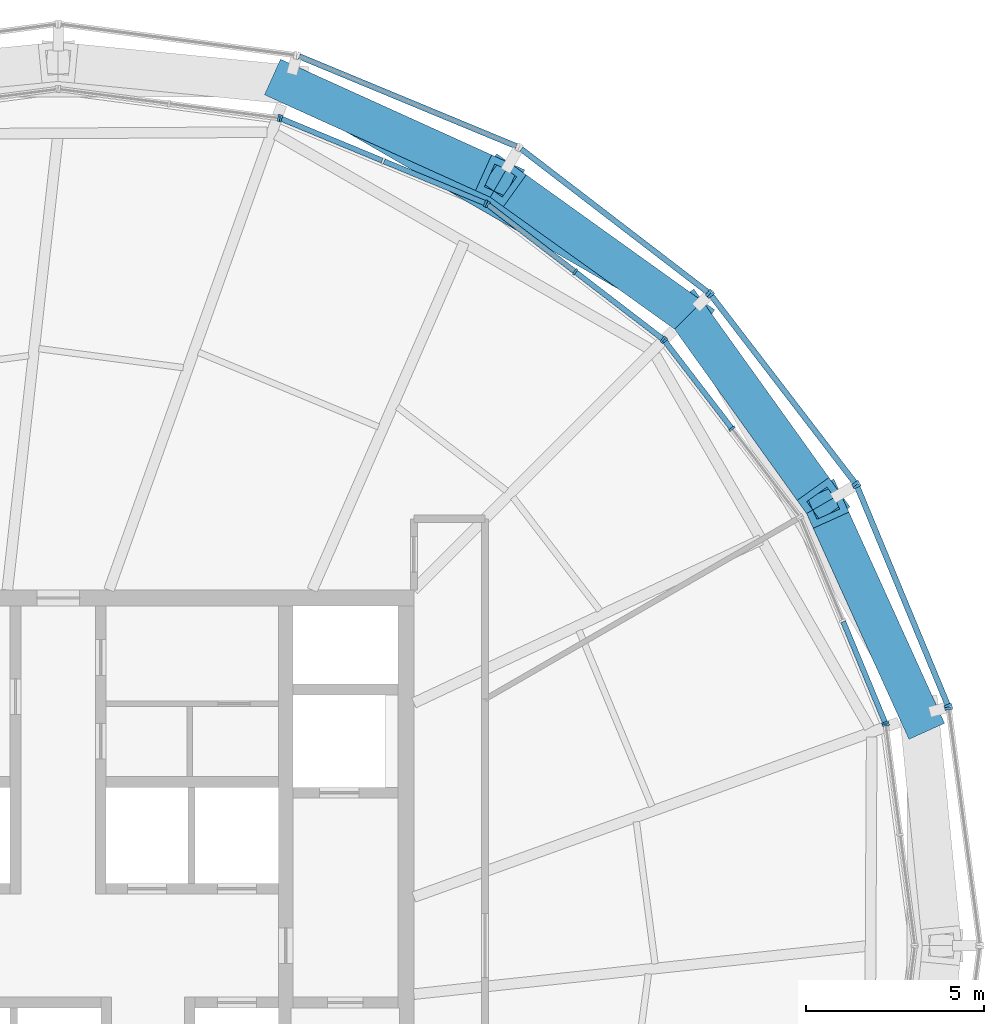
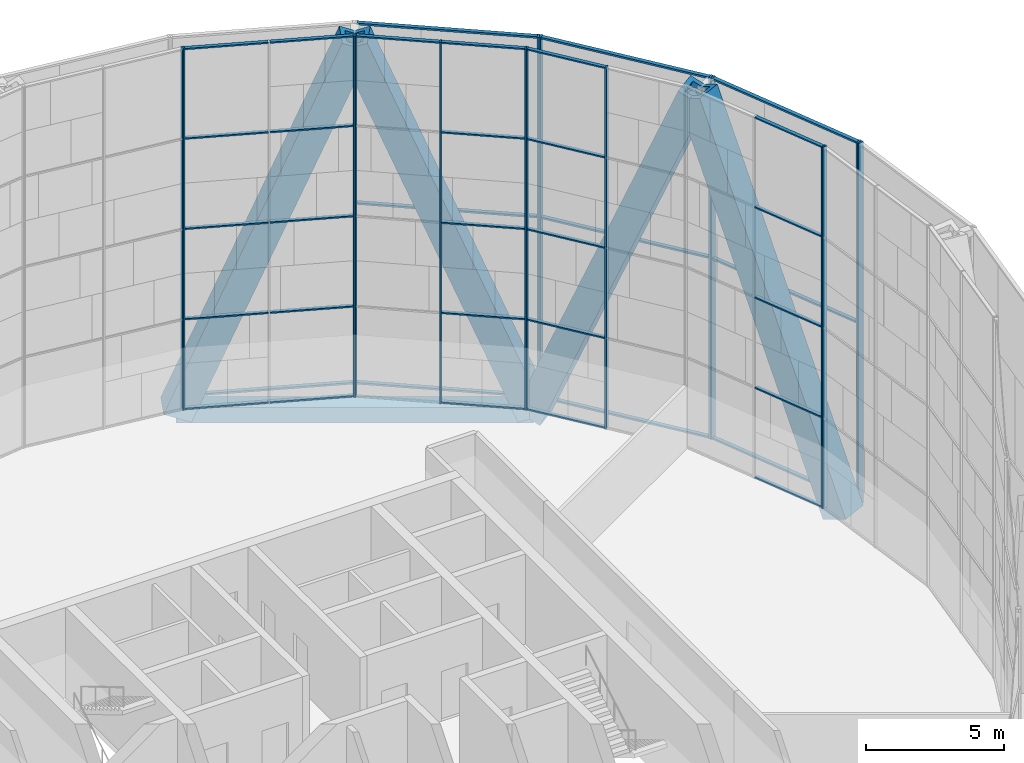
# One storey, part 11 of 30: 56 members, 1 beam, 11 elements without a shape of their own.
"""IFC4 building model written with IfcOpenShell, lengths in metres."""

from ifc_helpers import new_model, si_unit, direction, frame, origin, origin_2d, place, context, subcontext, project, spatial, rectangle, hollow_rectangle, extrude, material, material_profile, profile_set, type_object, element, aggregate, save


model = new_model("IFC4")

# Units and contexts
model_context = context("Model", 3, precision=1e-05, world=origin(), true_north=direction((0.0, 1.0)))
body_context = subcontext(model_context, "Body", "Model", "MODEL_VIEW")
ifc_project = project(units=[si_unit("LENGTHUNIT", "METRE"), si_unit("AREAUNIT", "SQUARE_METRE"), si_unit("VOLUMEUNIT", "CUBIC_METRE"), si_unit("PLANEANGLEUNIT", "RADIAN"), si_unit("MASSUNIT", "GRAM", prefix="KILO")], contexts=[model_context])

# Site, building, storey
site_placement = place(None, origin())
site = spatial("IfcSite", under=ifc_project, at=site_placement, CompositionType="ELEMENT")
building_placement = place(site_placement, origin())
building = spatial("IfcBuilding", under=site, at=building_placement, Name="Golbaran Civic Tower", CompositionType="ELEMENT")
storey_placement = place(building_placement, frame((0.0, 0.0, 167.0)))
storey = spatial("IfcBuildingStorey", under=building, at=storey_placement, Name="L40", CompositionType="ELEMENT", Elevation=167.0)

# Members
ifc_material_1 = material(Name="Steel S355", Category="steel")
ifc_material_profile_1 = material_profile(ifc_material_1, hollow_rectangle(XDim=1.10009765625, YDim=1.10009765625, WallThickness=0.199951171875, at=origin_2d()), Name="BOX 1100x1100x200")
ifc_profile_set_1 = profile_set([ifc_material_profile_1], Name="Steel S355")
member_type_1 = type_object("IfcMemberType", Name="DIAGRID DIAGONAL BOX 1100x1100x200", PredefinedType="BRACE", material=ifc_profile_set_1)
member_1_placement = place(storey_placement, frame((24.208984375, 6.48681640625, -0.7099609375), z_axis=(-0.155753672162, 0.343627476497, 0.926099860169), x_axis=(-0.910805936997, -0.412834767347, 0.0)))
element("IfcMember", 1, at=member_1_placement, inside=storey, type_object=member_type_1, Name="Diagonal D09-00R L40-L44", PredefinedType="BRACE", context=body_context, shape_type="SweptSolid", body=[
    extrude(hollow_rectangle(XDim=1.10009765625, YDim=1.10009765625, WallThickness=0.199951171875, at=origin_2d()), origin(), (0.0, 0.0, 1.0), 17.27685546875),
])
for number, where, z_axis, x_axis, name in (
    (2, (17.72216796875, 17.72216796875, -0.7099609375), (-0.306689856884, 0.21971220084, 0.926103601379), (-0.582374990121, -0.812920273386, 0.0), "Diagonal D09-01R L40-L44"),
    (3, (17.72216796875, 17.72216796875, -0.7099609375), (0.21971220084, -0.306689856884, 0.926103601379), (0.812920273386, 0.582374990121, 0.0), "Diagonal D09-01L L40-L44"),
):
    element("IfcMember", number, at=place(storey_placement, frame(where, z_axis=z_axis, x_axis=x_axis)), inside=storey, type_object=member_type_1, Name=name, PredefinedType="BRACE", context=body_context, shape_type="SweptSolid", body=[
        extrude(hollow_rectangle(XDim=1.10009765625, YDim=1.10009765625, WallThickness=0.199951171875, at=origin_2d()), origin(), (0.0, 0.0, 1.0), 17.276611328125),
    ])
member_2_placement = place(storey_placement, frame((6.48681640625, 24.208984375, -0.7099609375), z_axis=(0.343627476497, -0.155753672162, 0.926099860169), x_axis=(0.412834767347, 0.910805936997, 0.0)))
element("IfcMember", 4, at=member_2_placement, inside=storey, type_object=member_type_1, Name="Diagonal D09-02L L40-L44", PredefinedType="BRACE", context=body_context, shape_type="SweptSolid", body=[
    extrude(hollow_rectangle(XDim=1.10009765625, YDim=1.10009765625, WallThickness=0.199951171875, at=origin_2d()), origin(), (0.0, 0.0, 1.0), 17.27685546875),
])

# Beam
ifc_material_profile_2 = material_profile(ifc_material_1, hollow_rectangle(XDim=0.699951171875, YDim=0.699951171875, WallThickness=0.080078125, at=origin_2d()), Name="BOX 700x700x80")
ifc_profile_set_2 = profile_set([ifc_material_profile_2], Name="Steel S355")
beam_type = type_object("IfcBeamType", Name="DIAGRID RING TIE BOX 700x700x80", PredefinedType="BEAM", material=ifc_profile_set_2)
beam_placement = place(storey_placement, frame((17.72216796875, 17.72216796875, -0.7099609375), z_axis=(-0.866022628259, 0.50000480732, 0.0), x_axis=(-0.50000480732, -0.866022628259, 0.0)))
element("IfcBeam", 5, at=beam_placement, inside=storey, type_object=beam_type, Name="Ring tie 45.00 L40", PredefinedType="BEAM", context=body_context, shape_type="SweptSolid", body=[
    extrude(hollow_rectangle(XDim=0.699951171875, YDim=0.699951171875, WallThickness=0.080078125, at=origin_2d()), origin(), (0.0, 0.0, 1.0), 12.973388671875),
])

# Curtain wall, member
ifc_material_2 = material(Name="Aluminium and glass", Category="aluminium")
curtain_wall_type_1 = type_object("IfcCurtainWallType", Name="INNER SKIN CURTAIN WALL EXECUTIVE", PredefinedType="NOTDEFINED", material=ifc_material_2)
curtain_wall_1_placement = place(storey_placement, origin())
curtain_wall_1 = element("IfcCurtainWall", 6, at=curtain_wall_1_placement, inside=storey, type_object=curtain_wall_type_1, Name="Inner skin L40 facet 1 CW2", ObjectType="INNER SKIN", PredefinedType="USERDEFINED")
ifc_material_3 = material(Name="Aluminium", Category="aluminium")
ifc_material_profile_3 = material_profile(ifc_material_3, rectangle(XDim=0.199951171875, YDim=0.06005859375, at=origin_2d()), Name="INNER SKIN CURTAIN WALL EXECUTIVE MULLION")
ifc_profile_set_3 = profile_set([ifc_material_profile_3], Name="Aluminium")
member_type_2 = type_object("IfcMemberType", Name="INNER SKIN CURTAIN WALL EXECUTIVE MULLION", PredefinedType="MULLION", material=ifc_profile_set_3)
member_3_placement = place(storey_placement, frame((23.266357421875, 6.203369140625, 0.0), z_axis=(0.0, 0.0, 1.0), x_axis=(-0.991444861383, -0.130526192151, 0.0)))
member_3 = element("IfcMember", 7, at=member_3_placement, type_object=member_type_2, Name="CW2 mullion 3", PredefinedType="MULLION", context=body_context, shape_type="SweptSolid", body=[
    extrude(rectangle(XDim=0.199951171875, YDim=0.06005859375, at=origin_2d()), origin(), (0.0, 0.0, 1.0), 16.0),
])
aggregate(curtain_wall_1, [member_3])

curtain_wall_2_placement = place(storey_placement, origin())
curtain_wall_2 = element("IfcCurtainWall", 8, at=curtain_wall_2_placement, inside=storey, type_object=curtain_wall_type_1, Name="Inner skin L40 facet 2 CW2", ObjectType="INNER SKIN", PredefinedType="USERDEFINED")
member_4_placement = place(storey_placement, frame((23.2509765625, 6.2607421875, 0.0), z_axis=(0.0, 0.0, 1.0), x_axis=(-0.923879532471, -0.382683432462, 0.0)))
member_4 = element("IfcMember", 9, at=member_4_placement, type_object=member_type_2, Name="CW2 mullion 1", PredefinedType="MULLION", context=body_context, shape_type="SweptSolid", body=[
    extrude(rectangle(XDim=0.199951171875, YDim=0.06005859375, at=origin_2d()), origin(), (0.0, 0.0, 1.0), 16.0),
])

# Curtain wall, members
curtain_wall_3_placement = place(storey_placement, origin())
curtain_wall_3 = element("IfcCurtainWall", 10, at=curtain_wall_3_placement, inside=storey, type_object=curtain_wall_type_1, Name="Inner skin L40 facet 3 CW2", ObjectType="INNER SKIN", PredefinedType="USERDEFINED")
member_5_placement = place(storey_placement, frame((18.94287109375, 14.535400390625, 0.0), z_axis=(0.0, 0.0, 1.0), x_axis=(-0.79335334027, -0.608761429036, 0.0)))
member_5 = element("IfcMember", 11, at=member_5_placement, type_object=member_type_2, Name="CW2 mullion 2", PredefinedType="MULLION", context=body_context, shape_type="SweptSolid", body=[
    extrude(rectangle(XDim=0.199951171875, YDim=0.06005859375, at=origin_2d()), origin(), (0.0, 0.0, 1.0), 16.0),
])
member_6_placement = place(storey_placement, frame((17.047607421875, 17.00537109375, 0.0), z_axis=(0.0, 0.0, 1.0), x_axis=(-0.79335334027, -0.608761429036, 0.0)))
member_6 = element("IfcMember", 12, at=member_6_placement, type_object=member_type_2, Name="CW2 mullion 3", PredefinedType="MULLION", context=body_context, shape_type="SweptSolid", body=[
    extrude(rectangle(XDim=0.199951171875, YDim=0.06005859375, at=origin_2d()), origin(), (0.0, 0.0, 1.0), 16.0),
])

curtain_wall_4_placement = place(storey_placement, origin())
curtain_wall_4 = element("IfcCurtainWall", 13, at=curtain_wall_4_placement, inside=storey, type_object=curtain_wall_type_1, Name="Inner skin L40 facet 4 CW2", ObjectType="INNER SKIN", PredefinedType="USERDEFINED")
member_7_placement = place(storey_placement, frame((17.00537109375, 17.047607421875, 0.0), z_axis=(0.0, 0.0, 1.0), x_axis=(-0.608761429036, -0.79335334027, 0.0)))
member_7 = element("IfcMember", 14, at=member_7_placement, type_object=member_type_2, Name="CW2 mullion 1", PredefinedType="MULLION", context=body_context, shape_type="SweptSolid", body=[
    extrude(rectangle(XDim=0.199951171875, YDim=0.06005859375, at=origin_2d()), origin(), (0.0, 0.0, 1.0), 16.0),
])
member_8_placement = place(storey_placement, frame((14.535400390625, 18.94287109375, 0.0), z_axis=(0.0, 0.0, 1.0), x_axis=(-0.608761429036, -0.79335334027, 0.0)))
member_8 = element("IfcMember", 15, at=member_8_placement, type_object=member_type_2, Name="CW2 mullion 2", PredefinedType="MULLION", context=body_context, shape_type="SweptSolid", body=[
    extrude(rectangle(XDim=0.199951171875, YDim=0.06005859375, at=origin_2d()), origin(), (0.0, 0.0, 1.0), 16.0),
])
member_9_placement = place(storey_placement, frame((12.065185546875, 20.838134765625, 0.0), z_axis=(0.0, 0.0, 1.0), x_axis=(-0.608761429036, -0.79335334027, 0.0)))
member_9 = element("IfcMember", 16, at=member_9_placement, type_object=member_type_2, Name="CW2 mullion 3", PredefinedType="MULLION", context=body_context, shape_type="SweptSolid", body=[
    extrude(rectangle(XDim=0.199951171875, YDim=0.06005859375, at=origin_2d()), origin(), (0.0, 0.0, 1.0), 16.0),
])

curtain_wall_5_placement = place(storey_placement, origin())
curtain_wall_5 = element("IfcCurtainWall", 17, at=curtain_wall_5_placement, inside=storey, type_object=curtain_wall_type_1, Name="Inner skin L40 facet 5 CW2", ObjectType="INNER SKIN", PredefinedType="USERDEFINED")
member_10_placement = place(storey_placement, frame((12.013671875, 20.867919921875, 0.0), z_axis=(0.0, 0.0, 1.0), x_axis=(-0.382683432462, -0.923879532471, 0.0)))
member_10 = element("IfcMember", 18, at=member_10_placement, type_object=member_type_2, Name="CW2 mullion 1", PredefinedType="MULLION", context=body_context, shape_type="SweptSolid", body=[
    extrude(rectangle(XDim=0.199951171875, YDim=0.06005859375, at=origin_2d()), origin(), (0.0, 0.0, 1.0), 16.0),
])
member_11_placement = place(storey_placement, frame((6.2607421875, 23.2509765625, 0.0), z_axis=(0.0, 0.0, 1.0), x_axis=(-0.382683432462, -0.923879532471, 0.0)))
member_11 = element("IfcMember", 19, at=member_11_placement, type_object=member_type_2, Name="CW2 mullion 3", PredefinedType="MULLION", context=body_context, shape_type="SweptSolid", body=[
    extrude(rectangle(XDim=0.199951171875, YDim=0.06005859375, at=origin_2d()), origin(), (0.0, 0.0, 1.0), 16.0),
])

# Curtain wall, member
curtain_wall_6_placement = place(storey_placement, origin())
curtain_wall_6 = element("IfcCurtainWall", 20, at=curtain_wall_6_placement, inside=storey, type_object=curtain_wall_type_1, Name="Inner skin L40 facet 6 CW2", ObjectType="INNER SKIN", PredefinedType="USERDEFINED")
member_12_placement = place(storey_placement, frame((6.203369140625, 23.266357421875, 0.0), z_axis=(0.0, 0.0, 1.0), x_axis=(-0.130526192151, -0.991444861383, 0.0)))
member_12 = element("IfcMember", 21, at=member_12_placement, type_object=member_type_2, Name="CW2 mullion 1", PredefinedType="MULLION", context=body_context, shape_type="SweptSolid", body=[
    extrude(rectangle(XDim=0.199951171875, YDim=0.06005859375, at=origin_2d()), origin(), (0.0, 0.0, 1.0), 16.0),
])
aggregate(curtain_wall_6, [member_12])

# Member
ifc_material_profile_4 = material_profile(ifc_material_3, rectangle(XDim=0.14990234375, YDim=0.06005859375, at=origin_2d()), Name="INNER SKIN CURTAIN WALL EXECUTIVE TRANSOM")
ifc_profile_set_4 = profile_set([ifc_material_profile_4], Name="Aluminium")
member_type_3 = type_object("IfcMemberType", Name="INNER SKIN CURTAIN WALL EXECUTIVE TRANSOM", PredefinedType="USERDEFINED", material=ifc_profile_set_4)
member_13_placement = place(storey_placement, frame((23.239501953125, 6.28857421875, 0.030029296875), z_axis=(-0.382735453435, 0.923857982963, 0.0), x_axis=(-0.923857982963, -0.382735453435, 0.0)))
member_13 = element("IfcMember", 22, at=member_13_placement, type_object=member_type_3, Name="CW2 transom 1.1", ObjectType="TRANSOM", PredefinedType="USERDEFINED", context=body_context, shape_type="SweptSolid", body=[
    extrude(rectangle(XDim=0.14990234375, YDim=0.06005859375, at=origin_2d()), origin(), (0.0, 0.0, 1.0), 3.053466796875),
])

member_14_placement = place(storey_placement, frame((23.239501953125, 6.28857421875, 4.0), z_axis=(-0.382735453435, 0.923857982963, 0.0), x_axis=(-0.923857982963, -0.382735453435, 0.0)))
member_14 = element("IfcMember", 23, at=member_14_placement, type_object=member_type_3, Name="CW2 transom 1.2", ObjectType="TRANSOM", PredefinedType="USERDEFINED", context=body_context, shape_type="SweptSolid", body=[
    extrude(rectangle(XDim=0.14990234375, YDim=0.06005859375, at=origin_2d()), origin(), (0.0, 0.0, 1.0), 3.053466796875),
])

member_15_placement = place(storey_placement, frame((23.239501953125, 6.28857421875, 8.0), z_axis=(-0.382735453435, 0.923857982963, 0.0), x_axis=(-0.923857982963, -0.382735453435, 0.0)))
member_15 = element("IfcMember", 24, at=member_15_placement, type_object=member_type_3, Name="CW2 transom 1.3", ObjectType="TRANSOM", PredefinedType="USERDEFINED", context=body_context, shape_type="SweptSolid", body=[
    extrude(rectangle(XDim=0.14990234375, YDim=0.06005859375, at=origin_2d()), origin(), (0.0, 0.0, 1.0), 3.053466796875),
])

member_16_placement = place(storey_placement, frame((23.239501953125, 6.28857421875, 12.0), z_axis=(-0.382735453435, 0.923857982963, 0.0), x_axis=(-0.923857982963, -0.382735453435, 0.0)))
member_16 = element("IfcMember", 25, at=member_16_placement, type_object=member_type_3, Name="CW2 transom 1.4", ObjectType="TRANSOM", PredefinedType="USERDEFINED", context=body_context, shape_type="SweptSolid", body=[
    extrude(rectangle(XDim=0.14990234375, YDim=0.06005859375, at=origin_2d()), origin(), (0.0, 0.0, 1.0), 3.053466796875),
])

member_17_placement = place(storey_placement, frame((23.239501953125, 6.28857421875, 15.969970703125), z_axis=(-0.382735453435, 0.923857982963, 0.0), x_axis=(-0.923857982963, -0.382735453435, 0.0)))
member_17 = element("IfcMember", 26, at=member_17_placement, type_object=member_type_3, Name="CW2 transom 1.5", ObjectType="TRANSOM", PredefinedType="USERDEFINED", context=body_context, shape_type="SweptSolid", body=[
    extrude(rectangle(XDim=0.14990234375, YDim=0.06005859375, at=origin_2d()), origin(), (0.0, 0.0, 1.0), 3.053466796875),
])

aggregate(curtain_wall_2, [member_4, member_13, member_14, member_15, member_16, member_17])

member_18_placement = place(storey_placement, frame((18.924560546875, 14.55908203125, 0.030029296875), z_axis=(-0.60875208402, 0.793360510866, 0.0), x_axis=(-0.793360510866, -0.60875208402, 0.0)))
member_18 = element("IfcMember", 27, at=member_18_placement, type_object=member_type_3, Name="CW2 transom 2.1", ObjectType="TRANSOM", PredefinedType="USERDEFINED", context=body_context, shape_type="SweptSolid", body=[
    extrude(rectangle(XDim=0.14990234375, YDim=0.06005859375, at=origin_2d()), origin(), (0.0, 0.0, 1.0), 3.0537109375),
])

member_19_placement = place(storey_placement, frame((18.924560546875, 14.55908203125, 4.0), z_axis=(-0.60875208402, 0.793360510866, 0.0), x_axis=(-0.793360510866, -0.60875208402, 0.0)))
member_19 = element("IfcMember", 28, at=member_19_placement, type_object=member_type_3, Name="CW2 transom 2.2", ObjectType="TRANSOM", PredefinedType="USERDEFINED", context=body_context, shape_type="SweptSolid", body=[
    extrude(rectangle(XDim=0.14990234375, YDim=0.06005859375, at=origin_2d()), origin(), (0.0, 0.0, 1.0), 3.0537109375),
])

member_20_placement = place(storey_placement, frame((18.924560546875, 14.55908203125, 8.0), z_axis=(-0.60875208402, 0.793360510866, 0.0), x_axis=(-0.793360510866, -0.60875208402, 0.0)))
member_20 = element("IfcMember", 29, at=member_20_placement, type_object=member_type_3, Name="CW2 transom 2.3", ObjectType="TRANSOM", PredefinedType="USERDEFINED", context=body_context, shape_type="SweptSolid", body=[
    extrude(rectangle(XDim=0.14990234375, YDim=0.06005859375, at=origin_2d()), origin(), (0.0, 0.0, 1.0), 3.0537109375),
])

member_21_placement = place(storey_placement, frame((18.924560546875, 14.55908203125, 12.0), z_axis=(-0.60875208402, 0.793360510866, 0.0), x_axis=(-0.793360510866, -0.60875208402, 0.0)))
member_21 = element("IfcMember", 30, at=member_21_placement, type_object=member_type_3, Name="CW2 transom 2.4", ObjectType="TRANSOM", PredefinedType="USERDEFINED", context=body_context, shape_type="SweptSolid", body=[
    extrude(rectangle(XDim=0.14990234375, YDim=0.06005859375, at=origin_2d()), origin(), (0.0, 0.0, 1.0), 3.0537109375),
])

member_22_placement = place(storey_placement, frame((18.924560546875, 14.55908203125, 15.969970703125), z_axis=(-0.60875208402, 0.793360510866, 0.0), x_axis=(-0.793360510866, -0.60875208402, 0.0)))
member_22 = element("IfcMember", 31, at=member_22_placement, type_object=member_type_3, Name="CW2 transom 2.5", ObjectType="TRANSOM", PredefinedType="USERDEFINED", context=body_context, shape_type="SweptSolid", body=[
    extrude(rectangle(XDim=0.14990234375, YDim=0.06005859375, at=origin_2d()), origin(), (0.0, 0.0, 1.0), 3.0537109375),
])

aggregate(curtain_wall_3, [member_5, member_6, member_18, member_19, member_20, member_21, member_22])

member_23_placement = place(storey_placement, frame((16.981689453125, 17.065673828125, 0.030029296875), z_axis=(-0.793360510866, 0.60875208402, 0.0), x_axis=(-0.60875208402, -0.793360510866, 0.0)))
member_23 = element("IfcMember", 32, at=member_23_placement, type_object=member_type_3, Name="CW2 transom 1.1", ObjectType="TRANSOM", PredefinedType="USERDEFINED", context=body_context, shape_type="SweptSolid", body=[
    extrude(rectangle(XDim=0.14990234375, YDim=0.06005859375, at=origin_2d()), origin(), (0.0, 0.0, 1.0), 3.0537109375),
])

member_24_placement = place(storey_placement, frame((16.981689453125, 17.065673828125, 4.0), z_axis=(-0.793360510866, 0.60875208402, 0.0), x_axis=(-0.60875208402, -0.793360510866, 0.0)))
member_24 = element("IfcMember", 33, at=member_24_placement, type_object=member_type_3, Name="CW2 transom 1.2", ObjectType="TRANSOM", PredefinedType="USERDEFINED", context=body_context, shape_type="SweptSolid", body=[
    extrude(rectangle(XDim=0.14990234375, YDim=0.06005859375, at=origin_2d()), origin(), (0.0, 0.0, 1.0), 3.0537109375),
])

member_25_placement = place(storey_placement, frame((16.981689453125, 17.065673828125, 8.0), z_axis=(-0.793360510866, 0.60875208402, 0.0), x_axis=(-0.60875208402, -0.793360510866, 0.0)))
member_25 = element("IfcMember", 34, at=member_25_placement, type_object=member_type_3, Name="CW2 transom 1.3", ObjectType="TRANSOM", PredefinedType="USERDEFINED", context=body_context, shape_type="SweptSolid", body=[
    extrude(rectangle(XDim=0.14990234375, YDim=0.06005859375, at=origin_2d()), origin(), (0.0, 0.0, 1.0), 3.0537109375),
])

member_26_placement = place(storey_placement, frame((16.981689453125, 17.065673828125, 12.0), z_axis=(-0.793360510866, 0.60875208402, 0.0), x_axis=(-0.60875208402, -0.793360510866, 0.0)))
member_26 = element("IfcMember", 35, at=member_26_placement, type_object=member_type_3, Name="CW2 transom 1.4", ObjectType="TRANSOM", PredefinedType="USERDEFINED", context=body_context, shape_type="SweptSolid", body=[
    extrude(rectangle(XDim=0.14990234375, YDim=0.06005859375, at=origin_2d()), origin(), (0.0, 0.0, 1.0), 3.0537109375),
])

member_27_placement = place(storey_placement, frame((16.981689453125, 17.065673828125, 15.969970703125), z_axis=(-0.793360510866, 0.60875208402, 0.0), x_axis=(-0.60875208402, -0.793360510866, 0.0)))
member_27 = element("IfcMember", 36, at=member_27_placement, type_object=member_type_3, Name="CW2 transom 1.5", ObjectType="TRANSOM", PredefinedType="USERDEFINED", context=body_context, shape_type="SweptSolid", body=[
    extrude(rectangle(XDim=0.14990234375, YDim=0.06005859375, at=origin_2d()), origin(), (0.0, 0.0, 1.0), 3.0537109375),
])

member_28_placement = place(storey_placement, frame((14.511474609375, 18.961181640625, 15.969970703125), z_axis=(-0.793330879625, 0.6087906992, 0.0), x_axis=(-0.6087906992, -0.793330879625, 0.0)))
member_28 = element("IfcMember", 37, at=member_28_placement, type_object=member_type_3, Name="CW2 transom 2.5", ObjectType="TRANSOM", PredefinedType="USERDEFINED", context=body_context, shape_type="SweptSolid", body=[
    extrude(rectangle(XDim=0.14990234375, YDim=0.06005859375, at=origin_2d()), origin(), (0.0, 0.0, 1.0), 3.053466796875),
])

aggregate(curtain_wall_4, [member_7, member_8, member_9, member_23, member_24, member_25, member_26, member_27, member_28])

member_29_placement = place(storey_placement, frame((11.986083984375, 20.87939453125, 0.030029296875), z_axis=(-0.923886252177, 0.382667209253, 0.0), x_axis=(-0.382667209253, -0.923886252177, 0.0)))
member_29 = element("IfcMember", 38, at=member_29_placement, type_object=member_type_3, Name="CW2 transom 1.1", ObjectType="TRANSOM", PredefinedType="USERDEFINED", context=body_context, shape_type="SweptSolid", body=[
    extrude(rectangle(XDim=0.14990234375, YDim=0.06005859375, at=origin_2d()), origin(), (0.0, 0.0, 1.0), 3.053466796875),
])

member_30_placement = place(storey_placement, frame((11.986083984375, 20.87939453125, 4.0), z_axis=(-0.923886252177, 0.382667209253, 0.0), x_axis=(-0.382667209253, -0.923886252177, 0.0)))
member_30 = element("IfcMember", 39, at=member_30_placement, type_object=member_type_3, Name="CW2 transom 1.2", ObjectType="TRANSOM", PredefinedType="USERDEFINED", context=body_context, shape_type="SweptSolid", body=[
    extrude(rectangle(XDim=0.14990234375, YDim=0.06005859375, at=origin_2d()), origin(), (0.0, 0.0, 1.0), 3.053466796875),
])

member_31_placement = place(storey_placement, frame((11.986083984375, 20.87939453125, 8.0), z_axis=(-0.923886252177, 0.382667209253, 0.0), x_axis=(-0.382667209253, -0.923886252177, 0.0)))
member_31 = element("IfcMember", 40, at=member_31_placement, type_object=member_type_3, Name="CW2 transom 1.3", ObjectType="TRANSOM", PredefinedType="USERDEFINED", context=body_context, shape_type="SweptSolid", body=[
    extrude(rectangle(XDim=0.14990234375, YDim=0.06005859375, at=origin_2d()), origin(), (0.0, 0.0, 1.0), 3.053466796875),
])

member_32_placement = place(storey_placement, frame((11.986083984375, 20.87939453125, 12.0), z_axis=(-0.923886252177, 0.382667209253, 0.0), x_axis=(-0.382667209253, -0.923886252177, 0.0)))
member_32 = element("IfcMember", 41, at=member_32_placement, type_object=member_type_3, Name="CW2 transom 1.4", ObjectType="TRANSOM", PredefinedType="USERDEFINED", context=body_context, shape_type="SweptSolid", body=[
    extrude(rectangle(XDim=0.14990234375, YDim=0.06005859375, at=origin_2d()), origin(), (0.0, 0.0, 1.0), 3.053466796875),
])

member_33_placement = place(storey_placement, frame((11.986083984375, 20.87939453125, 15.969970703125), z_axis=(-0.923886252177, 0.382667209253, 0.0), x_axis=(-0.382667209253, -0.923886252177, 0.0)))
member_33 = element("IfcMember", 42, at=member_33_placement, type_object=member_type_3, Name="CW2 transom 1.5", ObjectType="TRANSOM", PredefinedType="USERDEFINED", context=body_context, shape_type="SweptSolid", body=[
    extrude(rectangle(XDim=0.14990234375, YDim=0.06005859375, at=origin_2d()), origin(), (0.0, 0.0, 1.0), 3.053466796875),
])

member_34_placement = place(storey_placement, frame((9.109619140625, 22.07080078125, 0.030029296875), z_axis=(-0.923857982963, 0.382735453435, 0.0), x_axis=(-0.382735453435, -0.923857982963, 0.0)))
member_34 = element("IfcMember", 43, at=member_34_placement, type_object=member_type_3, Name="CW2 transom 2.1", ObjectType="TRANSOM", PredefinedType="USERDEFINED", context=body_context, shape_type="SweptSolid", body=[
    extrude(rectangle(XDim=0.14990234375, YDim=0.06005859375, at=origin_2d()), origin(), (0.0, 0.0, 1.0), 3.053466796875),
])

member_35_placement = place(storey_placement, frame((9.109619140625, 22.07080078125, 4.0), z_axis=(-0.923857982963, 0.382735453435, 0.0), x_axis=(-0.382735453435, -0.923857982963, 0.0)))
member_35 = element("IfcMember", 44, at=member_35_placement, type_object=member_type_3, Name="CW2 transom 2.2", ObjectType="TRANSOM", PredefinedType="USERDEFINED", context=body_context, shape_type="SweptSolid", body=[
    extrude(rectangle(XDim=0.14990234375, YDim=0.06005859375, at=origin_2d()), origin(), (0.0, 0.0, 1.0), 3.053466796875),
])

member_36_placement = place(storey_placement, frame((9.109619140625, 22.07080078125, 8.0), z_axis=(-0.923857982963, 0.382735453435, 0.0), x_axis=(-0.382735453435, -0.923857982963, 0.0)))
member_36 = element("IfcMember", 45, at=member_36_placement, type_object=member_type_3, Name="CW2 transom 2.3", ObjectType="TRANSOM", PredefinedType="USERDEFINED", context=body_context, shape_type="SweptSolid", body=[
    extrude(rectangle(XDim=0.14990234375, YDim=0.06005859375, at=origin_2d()), origin(), (0.0, 0.0, 1.0), 3.053466796875),
])

member_37_placement = place(storey_placement, frame((9.109619140625, 22.07080078125, 12.0), z_axis=(-0.923857982963, 0.382735453435, 0.0), x_axis=(-0.382735453435, -0.923857982963, 0.0)))
member_37 = element("IfcMember", 46, at=member_37_placement, type_object=member_type_3, Name="CW2 transom 2.4", ObjectType="TRANSOM", PredefinedType="USERDEFINED", context=body_context, shape_type="SweptSolid", body=[
    extrude(rectangle(XDim=0.14990234375, YDim=0.06005859375, at=origin_2d()), origin(), (0.0, 0.0, 1.0), 3.053466796875),
])

member_38_placement = place(storey_placement, frame((9.109619140625, 22.07080078125, 15.969970703125), z_axis=(-0.923857982963, 0.382735453435, 0.0), x_axis=(-0.382735453435, -0.923857982963, 0.0)))
member_38 = element("IfcMember", 47, at=member_38_placement, type_object=member_type_3, Name="CW2 transom 2.5", ObjectType="TRANSOM", PredefinedType="USERDEFINED", context=body_context, shape_type="SweptSolid", body=[
    extrude(rectangle(XDim=0.14990234375, YDim=0.06005859375, at=origin_2d()), origin(), (0.0, 0.0, 1.0), 3.053466796875),
])

aggregate(curtain_wall_5, [member_10, member_11, member_29, member_30, member_31, member_32, member_33, member_34, member_35, member_36, member_37, member_38])

# Curtain wall, member
curtain_wall_type_2 = type_object("IfcCurtainWallType", Name="OUTER SKIN TERRACOTTA SCREEN", PredefinedType="NOTDEFINED", material=ifc_material_2)
curtain_wall_7_placement = place(storey_placement, origin())
curtain_wall_7 = element("IfcCurtainWall", 48, at=curtain_wall_7_placement, inside=storey, type_object=curtain_wall_type_2, Name="Outer skin L40 facet 1 CW3", ObjectType="OUTER SKIN", PredefinedType="USERDEFINED")
ifc_material_profile_5 = material_profile(ifc_material_3, rectangle(XDim=0.219970703125, YDim=0.080078125, at=origin_2d()), Name="OUTER SKIN TERRACOTTA SCREEN MULLION")
ifc_profile_set_5 = profile_set([ifc_material_profile_5], Name="Aluminium")
member_type_4 = type_object("IfcMemberType", Name="OUTER SKIN TERRACOTTA SCREEN MULLION", PredefinedType="MULLION", material=ifc_profile_set_5)
member_39_placement = place(storey_placement, frame((25.03515625, 6.667236328125, -0.7099609375), z_axis=(0.0, 0.0, 1.0), x_axis=(-0.991444861381, -0.130526192168, 0.0)))
member_39 = element("IfcMember", 49, at=member_39_placement, type_object=member_type_4, Name="CW3 mullion 2", PredefinedType="MULLION", context=body_context, shape_type="SweptSolid", body=[
    extrude(rectangle(XDim=0.219970703125, YDim=0.080078125, at=origin_2d()), origin(), (0.0, 0.0, 1.0), 16.0),
])
aggregate(curtain_wall_7, [member_39])

# Curtain wall, members
curtain_wall_8_placement = place(storey_placement, origin())
curtain_wall_8 = element("IfcCurtainWall", 50, at=curtain_wall_8_placement, inside=storey, type_object=curtain_wall_type_2, Name="Outer skin L40 facet 2 CW3", ObjectType="OUTER SKIN", PredefinedType="USERDEFINED")
member_40_placement = place(storey_placement, frame((25.0146484375, 6.74365234375, -0.7099609375), z_axis=(0.0, 0.0, 1.0), x_axis=(-0.923879532471, -0.382683432462, 0.0)))
member_40 = element("IfcMember", 51, at=member_40_placement, type_object=member_type_4, Name="CW3 mullion 1", PredefinedType="MULLION", context=body_context, shape_type="SweptSolid", body=[
    extrude(rectangle(XDim=0.219970703125, YDim=0.080078125, at=origin_2d()), origin(), (0.0, 0.0, 1.0), 16.0),
])
member_41_placement = place(storey_placement, frame((22.45654296875, 12.91943359375, -0.7099609375), z_axis=(0.0, 0.0, 1.0), x_axis=(-0.923879532471, -0.382683432462, 0.0)))
member_41 = element("IfcMember", 52, at=member_41_placement, type_object=member_type_4, Name="CW3 mullion 2", PredefinedType="MULLION", context=body_context, shape_type="SweptSolid", body=[
    extrude(rectangle(XDim=0.219970703125, YDim=0.080078125, at=origin_2d()), origin(), (0.0, 0.0, 1.0), 16.0),
])

curtain_wall_9_placement = place(storey_placement, origin())
curtain_wall_9 = element("IfcCurtainWall", 53, at=curtain_wall_9_placement, inside=storey, type_object=curtain_wall_type_2, Name="Outer skin L40 facet 3 CW3", ObjectType="OUTER SKIN", PredefinedType="USERDEFINED")
member_42_placement = place(storey_placement, frame((22.4169921875, 12.98828125, -0.7099609375), z_axis=(0.0, 0.0, 1.0), x_axis=(-0.793353340323, -0.608761428967, 0.0)))
member_42 = element("IfcMember", 54, at=member_42_placement, type_object=member_type_4, Name="CW3 mullion 1", PredefinedType="MULLION", context=body_context, shape_type="SweptSolid", body=[
    extrude(rectangle(XDim=0.219970703125, YDim=0.080078125, at=origin_2d()), origin(), (0.0, 0.0, 1.0), 16.0),
])
member_43_placement = place(storey_placement, frame((18.34765625, 18.29150390625, -0.7099609375), z_axis=(0.0, 0.0, 1.0), x_axis=(-0.793353340323, -0.608761428967, 0.0)))
member_43 = element("IfcMember", 55, at=member_43_placement, type_object=member_type_4, Name="CW3 mullion 2", PredefinedType="MULLION", context=body_context, shape_type="SweptSolid", body=[
    extrude(rectangle(XDim=0.219970703125, YDim=0.080078125, at=origin_2d()), origin(), (0.0, 0.0, 1.0), 16.0),
])

# Curtain wall, member
curtain_wall_10_placement = place(storey_placement, origin())
curtain_wall_10 = element("IfcCurtainWall", 56, at=curtain_wall_10_placement, inside=storey, type_object=curtain_wall_type_2, Name="Outer skin L40 facet 4 CW3", ObjectType="OUTER SKIN", PredefinedType="USERDEFINED")
member_44_placement = place(storey_placement, frame((18.29150390625, 18.34765625, -0.7099609375), z_axis=(0.0, 0.0, 1.0), x_axis=(-0.608761428967, -0.793353340323, 0.0)))
member_44 = element("IfcMember", 57, at=member_44_placement, type_object=member_type_4, Name="CW3 mullion 1", PredefinedType="MULLION", context=body_context, shape_type="SweptSolid", body=[
    extrude(rectangle(XDim=0.219970703125, YDim=0.080078125, at=origin_2d()), origin(), (0.0, 0.0, 1.0), 16.0),
])

# Member
ifc_material_profile_6 = material_profile(ifc_material_3, rectangle(XDim=0.159912109375, YDim=0.080078125, at=origin_2d()), Name="OUTER SKIN TERRACOTTA SCREEN TRANSOM")
ifc_profile_set_6 = profile_set([ifc_material_profile_6], Name="Aluminium")
member_type_5 = type_object("IfcMemberType", Name="OUTER SKIN TERRACOTTA SCREEN TRANSOM", PredefinedType="USERDEFINED", material=ifc_profile_set_6)
member_45_placement = place(storey_placement, frame((24.99951171875, 6.78076171875, -0.669921875), z_axis=(-0.38270111505, 0.923872207905, 0.0), x_axis=(-0.923872207905, -0.38270111505, 0.0)))
member_45 = element("IfcMember", 58, at=member_45_placement, type_object=member_type_5, Name="CW3 transom 1.1", ObjectType="TRANSOM", PredefinedType="USERDEFINED", context=body_context, shape_type="SweptSolid", body=[
    extrude(rectangle(XDim=0.159912109375, YDim=0.080078125, at=origin_2d()), origin(), (0.0, 0.0, 1.0), 6.6044921875),
])

member_46_placement = place(storey_placement, frame((24.99951171875, 6.78076171875, 7.2900390625), z_axis=(-0.38270111505, 0.923872207905, 0.0), x_axis=(-0.923872207905, -0.38270111505, 0.0)))
member_46 = element("IfcMember", 59, at=member_46_placement, type_object=member_type_5, Name="CW3 transom 1.2", ObjectType="TRANSOM", PredefinedType="USERDEFINED", context=body_context, shape_type="SweptSolid", body=[
    extrude(rectangle(XDim=0.159912109375, YDim=0.080078125, at=origin_2d()), origin(), (0.0, 0.0, 1.0), 6.6044921875),
])

member_47_placement = place(storey_placement, frame((24.99951171875, 6.78076171875, 15.25), z_axis=(-0.38270111505, 0.923872207905, 0.0), x_axis=(-0.923872207905, -0.38270111505, 0.0)))
member_47 = element("IfcMember", 60, at=member_47_placement, type_object=member_type_5, Name="CW3 transom 1.3", ObjectType="TRANSOM", PredefinedType="USERDEFINED", context=body_context, shape_type="SweptSolid", body=[
    extrude(rectangle(XDim=0.159912109375, YDim=0.080078125, at=origin_2d()), origin(), (0.0, 0.0, 1.0), 6.6044921875),
])

aggregate(curtain_wall_8, [member_40, member_41, member_45, member_46, member_47])

member_48_placement = place(storey_placement, frame((22.392578125, 13.02001953125, -0.669921875), z_axis=(-0.608752778069, 0.793359978316, 0.0), x_axis=(-0.793359978316, -0.608752778069, 0.0)))
member_48 = element("IfcMember", 61, at=member_48_placement, type_object=member_type_5, Name="CW3 transom 1.1", ObjectType="TRANSOM", PredefinedType="USERDEFINED", context=body_context, shape_type="SweptSolid", body=[
    extrude(rectangle(XDim=0.159912109375, YDim=0.080078125, at=origin_2d()), origin(), (0.0, 0.0, 1.0), 6.6044921875),
])

member_49_placement = place(storey_placement, frame((22.392578125, 13.02001953125, 7.2900390625), z_axis=(-0.608752778069, 0.793359978316, 0.0), x_axis=(-0.793359978316, -0.608752778069, 0.0)))
member_49 = element("IfcMember", 62, at=member_49_placement, type_object=member_type_5, Name="CW3 transom 1.2", ObjectType="TRANSOM", PredefinedType="USERDEFINED", context=body_context, shape_type="SweptSolid", body=[
    extrude(rectangle(XDim=0.159912109375, YDim=0.080078125, at=origin_2d()), origin(), (0.0, 0.0, 1.0), 6.6044921875),
])

member_50_placement = place(storey_placement, frame((22.392578125, 13.02001953125, 15.25), z_axis=(-0.608752778069, 0.793359978316, 0.0), x_axis=(-0.793359978316, -0.608752778069, 0.0)))
member_50 = element("IfcMember", 63, at=member_50_placement, type_object=member_type_5, Name="CW3 transom 1.3", ObjectType="TRANSOM", PredefinedType="USERDEFINED", context=body_context, shape_type="SweptSolid", body=[
    extrude(rectangle(XDim=0.159912109375, YDim=0.080078125, at=origin_2d()), origin(), (0.0, 0.0, 1.0), 6.6044921875),
])

aggregate(curtain_wall_9, [member_42, member_43, member_48, member_49, member_50])

member_51_placement = place(storey_placement, frame((18.259765625, 18.3720703125, -0.669921875), z_axis=(-0.793359978316, 0.608752778069, 0.0), x_axis=(-0.608752778069, -0.793359978316, 0.0)))
member_51 = element("IfcMember", 64, at=member_51_placement, type_object=member_type_5, Name="CW3 transom 1.1", ObjectType="TRANSOM", PredefinedType="USERDEFINED", context=body_context, shape_type="SweptSolid", body=[
    extrude(rectangle(XDim=0.159912109375, YDim=0.080078125, at=origin_2d()), origin(), (0.0, 0.0, 1.0), 6.6044921875),
])

member_52_placement = place(storey_placement, frame((18.259765625, 18.3720703125, 7.2900390625), z_axis=(-0.793359978316, 0.608752778069, 0.0), x_axis=(-0.608752778069, -0.793359978316, 0.0)))
member_52 = element("IfcMember", 65, at=member_52_placement, type_object=member_type_5, Name="CW3 transom 1.2", ObjectType="TRANSOM", PredefinedType="USERDEFINED", context=body_context, shape_type="SweptSolid", body=[
    extrude(rectangle(XDim=0.159912109375, YDim=0.080078125, at=origin_2d()), origin(), (0.0, 0.0, 1.0), 6.6044921875),
])

member_53_placement = place(storey_placement, frame((18.259765625, 18.3720703125, 15.25), z_axis=(-0.793359978316, 0.608752778069, 0.0), x_axis=(-0.608752778069, -0.793359978316, 0.0)))
member_53 = element("IfcMember", 66, at=member_53_placement, type_object=member_type_5, Name="CW3 transom 1.3", ObjectType="TRANSOM", PredefinedType="USERDEFINED", context=body_context, shape_type="SweptSolid", body=[
    extrude(rectangle(XDim=0.159912109375, YDim=0.080078125, at=origin_2d()), origin(), (0.0, 0.0, 1.0), 6.6044921875),
])

aggregate(curtain_wall_10, [member_44, member_51, member_52, member_53])

# Curtain wall, member
curtain_wall_11_placement = place(storey_placement, origin())
curtain_wall_11 = element("IfcCurtainWall", 67, at=curtain_wall_11_placement, inside=storey, type_object=curtain_wall_type_2, Name="Outer skin L40 facet 5 CW3", ObjectType="OUTER SKIN", PredefinedType="USERDEFINED")
member_54_placement = place(storey_placement, frame((12.882568359375, 22.471923828125, -0.669921875), z_axis=(-0.923872207905, 0.38270111505, 0.0), x_axis=(-0.38270111505, -0.923872207905, 0.0)))
member_54 = element("IfcMember", 68, at=member_54_placement, type_object=member_type_5, Name="CW3 transom 1.1", ObjectType="TRANSOM", PredefinedType="USERDEFINED", context=body_context, shape_type="SweptSolid", body=[
    extrude(rectangle(XDim=0.159912109375, YDim=0.080078125, at=origin_2d()), origin(), (0.0, 0.0, 1.0), 6.6044921875),
])
aggregate(curtain_wall_11, [member_54])

save(model, "model.ifc")
